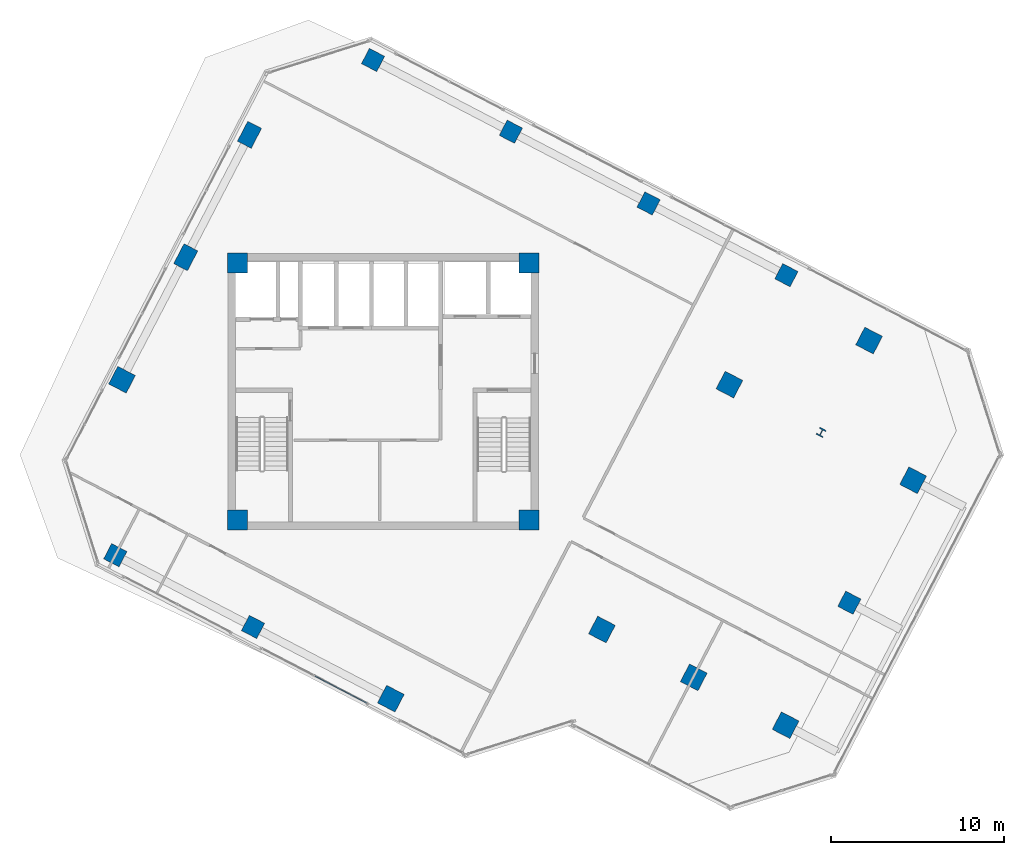
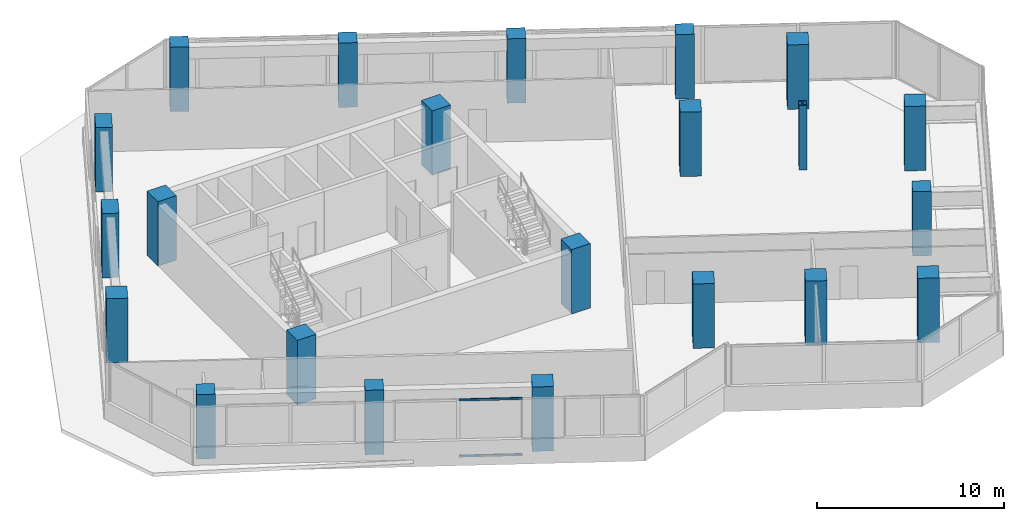
# One storey, part 1 of 22: 22 columns, 2 members, 1 element without a shape of its own.
"""IFC4 building model written with IfcOpenShell, lengths in metres."""

from ifc_helpers import new_model, si_unit, direction, frame, origin, origin_2d, place, context, subcontext, project, spatial, rectangle, hollow_rectangle, i_section, extrude, source, transform, mapped, material, material_profile, profile_set, type_object, element, aggregate, save


model = new_model("IFC4")

# Units and contexts
model_context = context("Model", 3, precision=1e-05, world=origin(), true_north=direction((0.0, 1.0)))
body_context = subcontext(model_context, "Body", "Model", "MODEL_VIEW")
ifc_project = project(units=[si_unit("LENGTHUNIT", "METRE"), si_unit("AREAUNIT", "SQUARE_METRE"), si_unit("VOLUMEUNIT", "CUBIC_METRE"), si_unit("PLANEANGLEUNIT", "RADIAN"), si_unit("MASSUNIT", "GRAM", prefix="KILO")], contexts=[model_context])

# Site, building, storey
site_placement = place(None, origin())
site = spatial("IfcSite", under=ifc_project, at=site_placement, CompositionType="ELEMENT")
building_placement = place(site_placement, origin())
building = spatial("IfcBuilding", under=site, at=building_placement, Name="Torre Montelarca", CompositionType="ELEMENT")
storey_placement = place(building_placement, frame((0.0, 0.0, 166.60009765625)))
storey = spatial("IfcBuildingStorey", under=building, at=storey_placement, Name="L37", CompositionType="ELEMENT", Elevation=166.60009765625)

# Columns
ifc_material_1 = material(Name="Concrete C55/67", Category="concrete")
ifc_material_profile_1 = material_profile(ifc_material_1, rectangle(XDim=1.14990234375, YDim=1.14990234375, at=origin_2d()), Name="RC1150X1150", Category="concrete")
ifc_profile_set_1 = profile_set([ifc_material_profile_1], Name="Concrete C55/67")
column_type_1 = type_object("IfcColumnType", Name="COL-RC1150", PredefinedType="COLUMN", material=ifc_profile_set_1)
shared_shape_1 = source(origin(), body_context, "Body", "SweptSolid", [
    extrude(rectangle(XDim=1.14990234375, YDim=1.14990234375, at=origin_2d()), origin(), (0.0, 0.0, 1.0), 4.198486328125),
])
for number, where, z_axis, x_axis, name in (
    (1, (9.550048828125, 24.550048828125, 0.000732421875), (0.0, 0.0, 1.0), (1.0, 0.0, 0.0), "L37 Plumb Core Corner Column 2D"),
    (2, (26.449951171875, 24.550048828125, 0.000732421875), (0.0, 0.0, 1.0), (1.0, 0.0, 0.0), "L37 Plumb Core Corner Column 4D"),
    (3, (9.550048828125, 39.449951171875, 0.000732421875), (0.0, 0.0, 1.0), (1.0, 0.0, 0.0), "L37 Plumb Core Corner Column 2F"),
    (4, (26.449951171875, 39.449951171875, 0.000732421875), (0.0, 0.0, 1.0), (1.0, 0.0, 0.0), "L37 Plumb Core Corner Column 4F"),
    (5, (30.667724609375, 18.20849609375, 0.000732421875), (0.0, 0.0, 1.0), (-0.887010833178, 0.461748613235, 0.0), "L37 Column 5/D"),
    (6, (38.0556640625, 32.400634765625, 0.000732421875), (0.0, 0.0, 1.0), (-0.887010833178, 0.461748613235, 0.0), "L37 Column 5/F"),
    (7, (35.98974609375, 15.43798828125, 0.000732421875), (0.0, 0.0, 1.0), (-0.887010833178, 0.461748613235, 0.0), "L37 Column 6/D"),
    (8, (46.148193359375, 34.952392578125, 0.000732421875), (0.0, 0.0, 1.0), (-0.887010833178, 0.461748613235, 0.0), "L37 Column 6/G"),
):
    element("IfcColumn", number, at=place(storey_placement, frame(where, z_axis=z_axis, x_axis=x_axis)), inside=storey, type_object=column_type_1, Name=name, PredefinedType="COLUMN", context=body_context, shape_type="MappedRepresentation", body=[
        mapped(shared_shape_1, transform((0.0, 0.0, 0.0), scale=1.0)),
    ])
ifc_material_profile_2 = material_profile(ifc_material_1, rectangle(XDim=0.89990234375, YDim=1.300048828125, at=origin_2d()), Name="RC1300X900", Category="concrete")
ifc_profile_set_2 = profile_set([ifc_material_profile_2], Name="Concrete C55/67")
column_type_2 = type_object("IfcColumnType", Name="COL-PIL1300-EXT", PredefinedType="PILASTER", material=ifc_profile_set_2)
shared_shape_2 = source(origin(), body_context, "Body", "SweptSolid", [
    extrude(rectangle(XDim=0.89990234375, YDim=1.300048828125, at=origin_2d()), origin(), (0.0, 0.0, 1.0), 4.198486328125),
])
for number, where, z_axis, x_axis, name in (
    (9, (6.553955078125, 39.780517578125, 0.000732421875), (0.0, 0.0, 1.0), (-0.887010833178, 0.461748613235, 0.0), "L37 Column 1W/E"),
    (10, (10.247802734375, 46.876708984375, 0.000732421875), (0.0, 0.0, 1.0), (-0.887010833178, 0.461748613235, 0.0), "L37 Column 1W/F"),
):
    element("IfcColumn", number, at=place(storey_placement, frame(where, z_axis=z_axis, x_axis=x_axis)), inside=storey, type_object=column_type_2, Name=name, PredefinedType="PILASTER", context=body_context, shape_type="MappedRepresentation", body=[
        mapped(shared_shape_2, transform((0.0, 0.0, 0.0), scale=1.0)),
    ])
ifc_material_profile_3 = material_profile(ifc_material_1, rectangle(XDim=1.14990234375, YDim=1.14990234375, at=origin_2d()), Name="RC1150X1150", Category="concrete")
ifc_profile_set_3 = profile_set([ifc_material_profile_3], Name="Concrete C55/67")
column_type_3 = type_object("IfcColumnType", Name="COL-RC1150-EXT", PredefinedType="COLUMN", material=ifc_profile_set_3)
shared_shape_3 = source(origin(), body_context, "Body", "SweptSolid", [
    extrude(rectangle(XDim=1.14990234375, YDim=1.14990234375, at=origin_2d()), origin(), (0.0, 0.0, 1.0), 4.198486328125),
])
for number, where, z_axis, x_axis, name in (
    (11, (18.4365234375, 14.203857421875, 0.000732421875), (0.0, 0.0, 1.0), (-0.887010833178, 0.461748613235, 0.0), "L37 Column 4/CS"),
    (12, (41.311767578125, 12.66748046875, 0.000732421875), (0.0, 0.0, 1.0), (-0.887010833178, 0.461748613235, 0.0), "L37 Column 7/D"),
    (13, (48.69970703125, 26.859619140625, 0.000732421875), (0.0, 0.0, 1.0), (-0.887010833178, 0.461748613235, 0.0), "L37 Column 7/F"),
    (14, (2.85986328125, 32.684326171875, 0.000732421875), (0.0, 0.0, 1.0), (-0.887010833178, 0.461748613235, 0.0), "L37 Column 1W/D"),
):
    element("IfcColumn", number, at=place(storey_placement, frame(where, z_axis=z_axis, x_axis=x_axis)), inside=storey, type_object=column_type_3, Name=name, PredefinedType="COLUMN", context=body_context, shape_type="MappedRepresentation", body=[
        mapped(shared_shape_3, transform((0.0, 0.0, 0.0), scale=1.0)),
    ])
ifc_material_2 = material(Name="Steel ASTM A992 Grade 50", Category="steel")
ifc_material_profile_4 = material_profile(ifc_material_2, i_section(OverallWidth=0.4208984375, OverallDepth=0.465087890625, WebThickness=0.044921875, FlangeThickness=0.072265625, FilletRadius=0.014892578125, at=origin_2d()), Name="W360X592", Category="steel")
ifc_profile_set_4 = profile_set([ifc_material_profile_4], Name="Steel ASTM A992 Grade 50")
column_type_4 = type_object("IfcColumnType", Name="COL-W360X592", PredefinedType="COLUMN", material=ifc_profile_set_4)
shared_shape_4 = source(origin(), body_context, "Body", "SweptSolid", [
    extrude(i_section(OverallWidth=0.4208984375, OverallDepth=0.465087890625, WebThickness=0.044921875, FlangeThickness=0.072265625, FilletRadius=0.014892578125, at=origin_2d()), origin(), (0.0, 0.0, 1.0), 4.198486328125),
])
column_placement = place(storey_placement, frame((43.377685546875, 29.630126953125, 0.000732421875), z_axis=(0.0, 0.0, 1.0), x_axis=(-0.887010833178, 0.461748613235, 0.0)))
element("IfcColumn", 15, at=column_placement, inside=storey, type_object=column_type_4, Name="L37 Column 6/F", PredefinedType="COLUMN", context=body_context, shape_type="MappedRepresentation", body=[
    mapped(shared_shape_4, transform((0.0, 0.0, 0.0), scale=1.0)),
])
ifc_material_profile_5 = material_profile(ifc_material_1, rectangle(XDim=1.0, YDim=1.0, at=origin_2d()), Name="RC1000X1000", Category="concrete")
ifc_profile_set_5 = profile_set([ifc_material_profile_5], Name="Concrete C55/67")
column_type_5 = type_object("IfcColumnType", Name="COL-RC1000-EXT", PredefinedType="COLUMN", material=ifc_profile_set_5)
shared_shape_5 = source(origin(), body_context, "Body", "SweptSolid", [
    extrude(rectangle(XDim=1.0, YDim=1.0, at=origin_2d()), origin(), (0.0, 0.0, 1.0), 4.198486328125),
])
for number, where, z_axis, x_axis, name in (
    (16, (2.47021484375, 22.515380859375, 0.000732421875), (0.0, 0.0, 1.0), (-0.887010833178, 0.461748613235, 0.0), "L37 Column 2/CS"),
    (17, (17.407958984375, 51.210205078125, 0.000732421875), (0.0, 0.0, 1.0), (-0.887010833178, 0.461748613235, 0.0), "L37 Column 2/GN"),
    (18, (10.453369140625, 18.359619140625, 0.000732421875), (0.0, 0.0, 1.0), (-0.887010833178, 0.461748613235, 0.0), "L37 Column 3/CS"),
    (19, (25.39111328125, 47.05419921875, 0.000732421875), (0.0, 0.0, 1.0), (-0.887010833178, 0.461748613235, 0.0), "L37 Column 3/GN"),
    (20, (33.3740234375, 42.898681640625, 0.000732421875), (0.0, 0.0, 1.0), (-0.887010833178, 0.461748613235, 0.0), "L37 Column 4/GN"),
    (21, (41.357177734375, 38.742919921875, 0.000732421875), (0.0, 0.0, 1.0), (-0.887010833178, 0.461748613235, 0.0), "L37 Column 5/GN"),
    (22, (45.005859375, 19.763671875, 0.000732421875), (0.0, 0.0, 1.0), (-0.887010833178, 0.461748613235, 0.0), "L37 Column 7/E"),
):
    element("IfcColumn", number, at=place(storey_placement, frame(where, z_axis=z_axis, x_axis=x_axis)), inside=storey, type_object=column_type_5, Name=name, PredefinedType="COLUMN", context=body_context, shape_type="MappedRepresentation", body=[
        mapped(shared_shape_5, transform((0.0, 0.0, 0.0), scale=1.0)),
    ])

# Curtain wall, members
ifc_material_3 = material(Name="Insulated low-E laminated glass", Category="glass")
curtain_wall_type = type_object("IfcCurtainWallType", Name="CW-SYS-Z2", PredefinedType="USERDEFINED", material=ifc_material_3)
curtain_wall_placement = place(storey_placement, origin())
curtain_wall = element("IfcCurtainWall", 23, at=curtain_wall_placement, inside=storey, type_object=curtain_wall_type, Name="L37 Curtain Wall Run CW-T3-L37-E01-B2", ObjectType="UNITISED GLAZING", PredefinedType="USERDEFINED")
ifc_material_4 = material(Name="Anodised aluminium AA 6063-T6", Category="aluminium")
ifc_material_profile_6 = material_profile(ifc_material_4, hollow_rectangle(XDim=0.06494140625, YDim=0.139892578125, WallThickness=0.00390625, InnerFilletRadius=0.00390625, OuterFilletRadius=0.008056640625, at=origin_2d()), Name="ALU65X140X4", Category="aluminium")
ifc_profile_set_6 = profile_set([ifc_material_profile_6], Name="Anodised aluminium AA 6063-T6")
member_type = type_object("IfcMemberType", Name="CWT-ALU140", PredefinedType="USERDEFINED", material=ifc_profile_set_6)
shared_shape_6 = source(origin(), body_context, "Body", "SweptSolid", [
    extrude(hollow_rectangle(XDim=0.06494140625, YDim=0.139892578125, WallThickness=0.00390625, InnerFilletRadius=0.00390625, OuterFilletRadius=0.008056640625, at=origin_2d()), origin(), (0.0, 0.0, 1.0), 3.385009765625),
])
member_1_placement = place(storey_placement, frame((14.038818359375, 15.51220703125, 0.032470703125), z_axis=(0.887008871271, -0.461752382004, 0.0), x_axis=(0.461752382004, 0.887008871271, 0.0)))
member_1 = element("IfcMember", 24, at=member_1_placement, type_object=member_type, Name="CW transom 2.1", ObjectType="TRANSOM", PredefinedType="USERDEFINED", context=body_context, shape_type="MappedRepresentation", body=[
    mapped(shared_shape_6, transform((0.0, 0.0, 0.0), scale=1.0)),
])
member_2_placement = place(storey_placement, frame((14.038818359375, 15.51220703125, 3.6875), z_axis=(0.887008871271, -0.461752382004, 0.0), x_axis=(0.461752382004, 0.887008871271, 0.0)))
member_2 = element("IfcMember", 25, at=member_2_placement, type_object=member_type, Name="CW transom 2.2", ObjectType="TRANSOM", PredefinedType="USERDEFINED", context=body_context, shape_type="MappedRepresentation", body=[
    mapped(shared_shape_6, transform((0.0, 0.0, 0.0), scale=1.0)),
])
aggregate(curtain_wall, [member_1, member_2])

save(model, "model.ifc")
